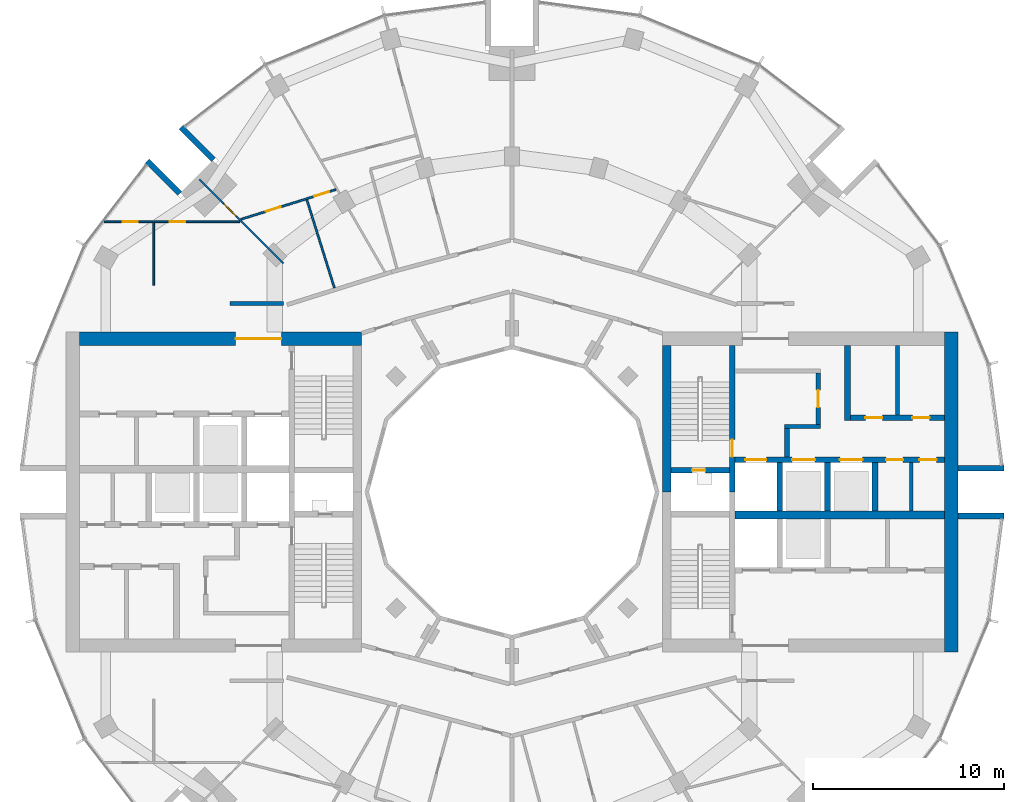
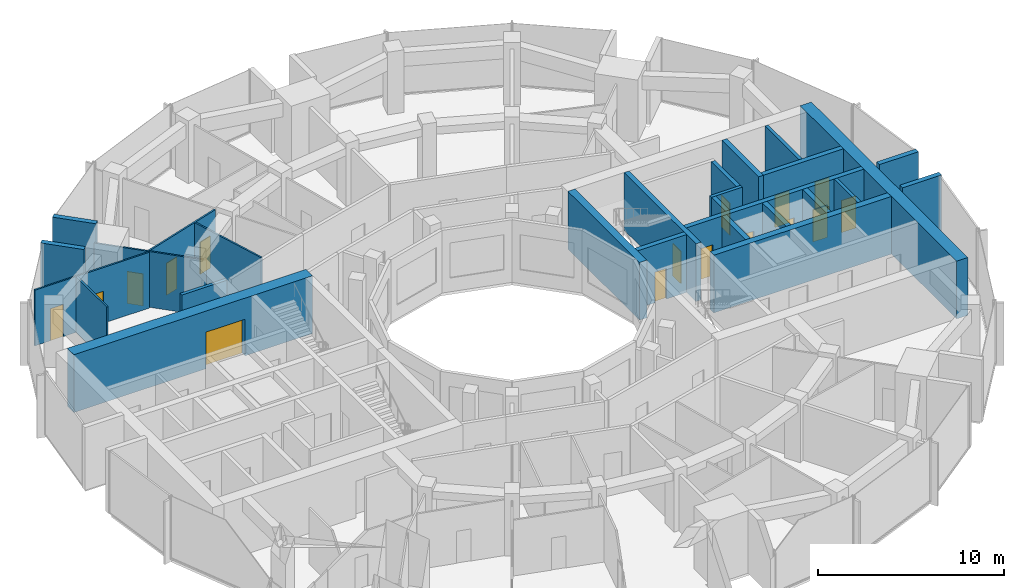
# One storey, part 11 of 15: 27 walls, 16 doors, 16 openings.
"""IFC4 building model written with IfcOpenShell, lengths in metres."""

from ifc_helpers import new_model, si_unit, direction, frame, frame_2d, origin, place, context, subcontext, project, spatial, rectangle, extrude, material, layer, layer_set, type_object, element, fill, save


model = new_model("IFC4")

# Units and contexts
model_context = context("Model", 3, precision=1e-05, world=origin(), true_north=direction((0.0, 1.0)))
body_context = subcontext(model_context, "Body", "Model", "MODEL_VIEW")
ifc_project = project(units=[si_unit("LENGTHUNIT", "METRE"), si_unit("AREAUNIT", "SQUARE_METRE"), si_unit("VOLUMEUNIT", "CUBIC_METRE"), si_unit("PLANEANGLEUNIT", "RADIAN"), si_unit("MASSUNIT", "GRAM", prefix="KILO")], contexts=[model_context])

# Site, building, storey
site_placement = place(None, origin())
site = spatial("IfcSite", under=ifc_project, at=site_placement, CompositionType="ELEMENT")
building_placement = place(site_placement, origin())
building = spatial("IfcBuilding", under=site, at=building_placement, Name="Torre Brocal", CompositionType="ELEMENT")
storey_placement = place(building_placement, frame((0.0, 0.0, 165.89990234375)))
storey = spatial("IfcBuildingStorey", under=building, at=storey_placement, Name="L38", CompositionType="ELEMENT", Elevation=165.89990234375)

# Walls
ifc_material_1 = material(Name="Masonry block", Category="masonry")
ifc_layer_1 = layer(ifc_material_1, 0.199951171875)
ifc_layer_set_1 = layer_set([ifc_layer_1], Name="Masonry block")
wall_type_1 = type_object("IfcWallType", Name="CORE PARTITION 200", PredefinedType="PARTITIONING", material=ifc_layer_set_1)
wall_1_placement = place(storey_placement, frame((100.949951171875, 74.0, 0.0), z_axis=(0.0, 0.0, 1.0), x_axis=(0.0, 1.0, 0.0)))
element("IfcWall", 1, at=wall_1_placement, inside=storey, type_object=wall_type_1, Name="Wall CP200", PredefinedType="PARTITIONING", context=body_context, shape_type="SweptSolid", body=[
    extrude(rectangle(XDim=2.550048828125, YDim=0.199951171875, at=frame_2d((1.27490234375, 0.0))), origin(), (0.0, 0.0, 1.0), 3.780029296875),
])
wall_2_placement = place(storey_placement, frame((100.22509765625, 79.050048828125, 0.0), z_axis=(0.0, 0.0, 1.0), x_axis=(0.0, 1.0, 0.0)))
element("IfcWall", 2, at=wall_2_placement, inside=storey, type_object=wall_type_1, Name="Wall CP200", PredefinedType="PARTITIONING", context=body_context, shape_type="SweptSolid", body=[
    extrude(rectangle(XDim=3.64990234375, YDim=0.199951171875, at=frame_2d((1.824951171875, 0.0))), origin(), (0.0, 0.0, 1.0), 3.780029296875),
])
ifc_material_2 = material(Name="Concrete C70", Category="concrete")
ifc_layer_2 = layer(ifc_material_2, 0.199951171875)
ifc_layer_set_2 = layer_set([ifc_layer_2], Name="Concrete C70")
wall_type_2 = type_object("IfcWallType", Name="CORE WALL 200 C70", PredefinedType="SHEAR", material=ifc_layer_set_2)
wall_3_placement = place(storey_placement, frame((94.300048828125, 78.449951171875, 0.0), z_axis=(0.0, 0.0, 1.0), x_axis=(1.0, 0.0, 0.0)))
element("IfcWall", 3, at=wall_3_placement, inside=storey, type_object=wall_type_2, Name="Wall CW200-70", PredefinedType="SHEAR", context=body_context, shape_type="SweptSolid", body=[
    extrude(rectangle(XDim=1.89990234375, YDim=0.199951171875, at=frame_2d((0.949951171875, 0.0))), origin(), (0.0, 0.0, 1.0), 3.780029296875),
])

# Wall, opening, door
ifc_material_3 = material(Name="Concrete C70", Category="concrete")
ifc_layer_3 = layer(ifc_material_3, 0.25)
ifc_layer_set_3 = layer_set([ifc_layer_3], Name="Concrete C70")
wall_type_3 = type_object("IfcWallType", Name="CORE WALL 250 C70", PredefinedType="SHEAR", material=ifc_layer_set_3)
wall_4_placement = place(storey_placement, frame((96.074951171875, 78.550048828125, 0.0), z_axis=(0.0, 0.0, 1.0), x_axis=(0.0, 1.0, 0.0)))
wall_4 = element("IfcWall", 4, at=wall_4_placement, inside=storey, type_object=wall_type_3, Name="Wall CW250-70", PredefinedType="SHEAR", context=body_context, shape_type="SweptSolid", body=[
    extrude(rectangle(XDim=2.699951171875, YDim=0.25, at=frame_2d((1.35009765625, 0.0))), origin(), (0.0, 0.0, 1.0), 3.780029296875),
])
opening_1_placement = place(wall_4_placement, frame((0.89990234375, 0.0, 0.0)))
opening_1 = element("IfcOpeningElement", 5, at=opening_1_placement, cuts=wall_4, Name="Opening E-D08", PredefinedType="OPENING", context=body_context, shape_type="SweptSolid", body=[
    extrude(rectangle(XDim=0.89990234375, YDim=2.10009765625, at=frame_2d((0.449951171875, 1.050048828125))), frame((0.0, 0.135009765625, 0.0), z_axis=(0.0, -1.0, 0.0), x_axis=(1.0, 0.0, 0.0)), (0.0, 0.0, 1.0), 0.27001953125),
])
ifc_material_4 = material(Name="Steel A653", Category="steel")
door_type_1 = type_object("IfcDoorType", Name="LOBBY DOOR FD120 900X2100", OperationType="SINGLE_SWING_RIGHT", PredefinedType="DOOR", material=ifc_material_4)
door_1_placement = place(opening_1_placement, origin())
door_1 = element("IfcDoor", 6, at=door_1_placement, inside=storey, type_object=door_type_1, Name="Door E-D08", OperationType="SINGLE_SWING_LEFT", OverallHeight=2.10009765625, OverallWidth=0.89990234375, PredefinedType="DOOR", context=body_context, shape_type="SweptSolid", body=[
    extrude(rectangle(XDim=0.89990234375, YDim=2.10009765625, at=frame_2d((0.449951171875, 1.050048828125))), frame((0.0, 0.02490234375, 0.0), z_axis=(0.0, -1.0, 0.0), x_axis=(1.0, 0.0, 0.0)), (0.0, 0.0, 1.0), 0.050048828125),
])
fill(opening_1, door_1)

# Wall
wall_5_placement = place(storey_placement, frame((94.425048828125, 76.85009765625, 0.0), z_axis=(0.0, 0.0, 1.0), x_axis=(0.0, 1.0, 0.0)))
element("IfcWall", 7, at=wall_5_placement, inside=storey, type_object=wall_type_3, Name="Wall CW250-70", PredefinedType="SHEAR", context=body_context, shape_type="SweptSolid", body=[
    extrude(rectangle(XDim=1.5, YDim=0.25, at=frame_2d((0.75, 0.0))), origin(), (0.0, 0.0, 1.0), 3.780029296875),
])

# Wall, opening, door
ifc_material_5 = material(Name="Concrete C70", Category="concrete")
ifc_layer_4 = layer(ifc_material_5, 0.300048828125)
ifc_layer_set_4 = layer_set([ifc_layer_4], Name="Concrete C70")
wall_type_4 = type_object("IfcWallType", Name="CORE WALL 300 C70", PredefinedType="SHEAR", material=ifc_layer_set_4)
wall_6_placement = place(storey_placement, frame((91.550048828125, 75.0, 0.0), z_axis=(0.0, 0.0, 1.0), x_axis=(0.0, 1.0, 0.0)))
wall_6 = element("IfcWall", 8, at=wall_6_placement, inside=storey, type_object=wall_type_4, Name="Wall CW300-70", PredefinedType="SHEAR", context=body_context, shape_type="SweptSolid", body=[
    extrude(rectangle(XDim=7.699951171875, YDim=0.300048828125, at=frame_2d((3.85009765625, 0.0))), origin(), (0.0, 0.0, 1.0), 3.780029296875),
])
opening_2_placement = place(wall_6_placement, frame((1.85009765625, 0.0, 0.0)))
opening_2 = element("IfcOpeningElement", 9, at=opening_2_placement, cuts=wall_6, Name="Opening E-D02", PredefinedType="OPENING", context=body_context, shape_type="SweptSolid", body=[
    extrude(rectangle(XDim=0.89990234375, YDim=2.10009765625, at=frame_2d((0.449951171875, 1.050048828125))), frame((0.0, 0.159912109375, 0.0), z_axis=(0.0, -1.0, 0.0), x_axis=(1.0, 0.0, 0.0)), (0.0, 0.0, 1.0), 0.320068359375),
])
ifc_material_6 = material(Name="Steel A653", Category="steel")
door_type_2 = type_object("IfcDoorType", Name="STAIR DOOR FD120 900X2100", OperationType="SINGLE_SWING_RIGHT", PredefinedType="DOOR", material=ifc_material_6)
door_2_placement = place(opening_2_placement, origin())
door_2 = element("IfcDoor", 10, at=door_2_placement, inside=storey, type_object=door_type_2, Name="Door E-D02", OperationType="SINGLE_SWING_LEFT", OverallHeight=2.10009765625, OverallWidth=0.89990234375, PredefinedType="DOOR", context=body_context, shape_type="SweptSolid", body=[
    extrude(rectangle(XDim=0.89990234375, YDim=2.10009765625, at=frame_2d((0.449951171875, 1.050048828125))), frame((0.0, 0.02490234375, 0.0), z_axis=(0.0, -1.0, 0.0), x_axis=(1.0, 0.0, 0.0)), (0.0, 0.0, 1.0), 0.050048828125),
])
fill(opening_2, door_2)

wall_7_placement = place(storey_placement, frame((88.35009765625, 76.14990234375, 0.0), z_axis=(0.0, 0.0, 1.0), x_axis=(1.0, 0.0, 0.0)))
wall_7 = element("IfcWall", 11, at=wall_7_placement, inside=storey, type_object=wall_type_4, Name="Wall CW300-70", PredefinedType="SHEAR", context=body_context, shape_type="SweptSolid", body=[
    extrude(rectangle(XDim=3.0498046875, YDim=0.300048828125, at=frame_2d((1.52490234375, 0.0))), origin(), (0.0, 0.0, 1.0), 3.780029296875),
])
opening_3_placement = place(wall_7_placement, frame((1.10009765625, 0.0, 0.0)))
opening_3 = element("IfcOpeningElement", 12, at=opening_3_placement, cuts=wall_7, Name="Opening E-D01", PredefinedType="OPENING", context=body_context, shape_type="SweptSolid", body=[
    extrude(rectangle(XDim=0.699951171875, YDim=2.0, at=frame_2d((0.35009765625, 1.0))), frame((0.0, 0.159912109375, 0.0), z_axis=(0.0, -1.0, 0.0), x_axis=(1.0, 0.0, 0.0)), (0.0, 0.0, 1.0), 0.320068359375),
])
ifc_material_7 = material(Name="Steel A653", Category="steel")
door_type_3 = type_object("IfcDoorType", Name="RISER DOOR FD120 700X2000", OperationType="SINGLE_SWING_LEFT", PredefinedType="DOOR", material=ifc_material_7)
door_3_placement = place(opening_3_placement, frame((0.699951171875, 0.0, 0.0), z_axis=(0.0, 0.0, 1.0), x_axis=(-1.0, 0.0, 0.0)))
door_3 = element("IfcDoor", 13, at=door_3_placement, inside=storey, type_object=door_type_3, Name="Door E-D01", OperationType="SINGLE_SWING_RIGHT", OverallHeight=2.0, OverallWidth=0.699951171875, PredefinedType="DOOR", context=body_context, shape_type="SweptSolid", body=[
    extrude(rectangle(XDim=0.699951171875, YDim=2.0, at=frame_2d((0.35009765625, 1.0))), frame((0.0, 0.02490234375, 0.0), z_axis=(0.0, -1.0, 0.0), x_axis=(1.0, 0.0, 0.0)), (0.0, 0.0, 1.0), 0.050048828125),
])
fill(opening_3, door_3)

# Wall, openings, doors
wall_8_placement = place(storey_placement, frame((91.699951171875, 76.699951171875, 0.0), z_axis=(0.0, 0.0, 1.0), x_axis=(1.0, 0.0, 0.0)))
wall_8 = element("IfcWall", 14, at=wall_8_placement, inside=storey, type_object=wall_type_4, Name="Wall CW300-70", PredefinedType="SHEAR", context=body_context, shape_type="SweptSolid", body=[
    extrude(rectangle(XDim=11.0, YDim=0.300048828125, at=frame_2d((5.5, 0.0))), origin(), (0.0, 0.0, 1.0), 3.780029296875),
])
opening_4_placement = place(wall_8_placement, frame((0.550048828125, 0.0, 0.0)))
opening_4 = element("IfcOpeningElement", 15, at=opening_4_placement, cuts=wall_8, Name="Opening LD", PredefinedType="OPENING", context=body_context, shape_type="SweptSolid", body=[
    extrude(rectangle(XDim=1.10009765625, YDim=2.10009765625, at=frame_2d((0.550048828125, 1.050048828125))), frame((0.0, 0.159912109375, 0.0), z_axis=(0.0, -1.0, 0.0), x_axis=(1.0, 0.0, 0.0)), (0.0, 0.0, 1.0), 0.320068359375),
])
opening_5_placement = place(wall_8_placement, frame((3.0, 0.0, 0.0)))
opening_5 = element("IfcOpeningElement", 16, at=opening_5_placement, cuts=wall_8, Name="Opening LD12", PredefinedType="OPENING", context=body_context, shape_type="SweptSolid", body=[
    extrude(rectangle(XDim=1.199951171875, YDim=2.10009765625, at=frame_2d((0.60009765625, 1.050048828125))), frame((0.0, 0.159912109375, 0.0), z_axis=(0.0, -1.0, 0.0), x_axis=(1.0, 0.0, 0.0)), (0.0, 0.0, 1.0), 0.320068359375),
])
opening_6_placement = place(wall_8_placement, frame((5.5, 0.0, 0.0)))
opening_6 = element("IfcOpeningElement", 17, at=opening_6_placement, cuts=wall_8, Name="Opening LD12", PredefinedType="OPENING", context=body_context, shape_type="SweptSolid", body=[
    extrude(rectangle(XDim=1.199951171875, YDim=2.10009765625, at=frame_2d((0.60009765625, 1.050048828125))), frame((0.0, 0.159912109375, 0.0), z_axis=(0.0, -1.0, 0.0), x_axis=(1.0, 0.0, 0.0)), (0.0, 0.0, 1.0), 0.320068359375),
])
opening_7_placement = place(wall_8_placement, frame((7.925048828125, 0.0, 0.0)))
opening_7 = element("IfcOpeningElement", 18, at=opening_7_placement, cuts=wall_8, Name="Opening E-D04", PredefinedType="OPENING", context=body_context, shape_type="SweptSolid", body=[
    extrude(rectangle(XDim=0.89990234375, YDim=2.10009765625, at=frame_2d((0.449951171875, 1.050048828125))), frame((0.0, 0.159912109375, 0.0), z_axis=(0.0, -1.0, 0.0), x_axis=(1.0, 0.0, 0.0)), (0.0, 0.0, 1.0), 0.320068359375),
])
opening_8_placement = place(wall_8_placement, frame((9.675048828125, 0.0, 0.0)))
opening_8 = element("IfcOpeningElement", 19, at=opening_8_placement, cuts=wall_8, Name="Opening E-D05", PredefinedType="OPENING", context=body_context, shape_type="SweptSolid", body=[
    extrude(rectangle(XDim=0.89990234375, YDim=2.10009765625, at=frame_2d((0.449951171875, 1.050048828125))), frame((0.0, 0.159912109375, 0.0), z_axis=(0.0, -1.0, 0.0), x_axis=(1.0, 0.0, 0.0)), (0.0, 0.0, 1.0), 0.320068359375),
])
ifc_material_8 = material(Name="Stainless steel AISI 316", Category="steel")
door_type_4 = type_object("IfcDoorType", Name="LIFT LANDING DOOR 1100X2100", OperationType="DOUBLE_DOOR_SLIDING", PredefinedType="DOOR", material=ifc_material_8)
door_4_placement = place(opening_4_placement, origin())
door_4 = element("IfcDoor", 20, at=door_4_placement, inside=storey, type_object=door_type_4, Name="Door LD", OperationType="DOUBLE_DOOR_SLIDING", OverallHeight=2.10009765625, OverallWidth=1.10009765625, PredefinedType="DOOR", context=body_context, shape_type="SweptSolid", body=[
    extrude(rectangle(XDim=1.10009765625, YDim=2.10009765625, at=frame_2d((0.550048828125, 1.050048828125))), frame((0.0, 0.02490234375, 0.0), z_axis=(0.0, -1.0, 0.0), x_axis=(1.0, 0.0, 0.0)), (0.0, 0.0, 1.0), 0.050048828125),
])
fill(opening_4, door_4)
ifc_material_9 = material(Name="Stainless steel AISI 316", Category="steel")
door_type_5 = type_object("IfcDoorType", Name="LIFT LANDING DOOR 1200X2100", OperationType="DOUBLE_DOOR_SLIDING", PredefinedType="DOOR", material=ifc_material_9)
door_5_placement = place(opening_5_placement, origin())
door_5 = element("IfcDoor", 21, at=door_5_placement, inside=storey, type_object=door_type_5, Name="Door LD12", OperationType="DOUBLE_DOOR_SLIDING", OverallHeight=2.10009765625, OverallWidth=1.199951171875, PredefinedType="DOOR", context=body_context, shape_type="SweptSolid", body=[
    extrude(rectangle(XDim=1.199951171875, YDim=2.10009765625, at=frame_2d((0.60009765625, 1.050048828125))), frame((0.0, 0.02490234375, 0.0), z_axis=(0.0, -1.0, 0.0), x_axis=(1.0, 0.0, 0.0)), (0.0, 0.0, 1.0), 0.050048828125),
])
fill(opening_5, door_5)
door_6_placement = place(opening_6_placement, origin())
door_6 = element("IfcDoor", 22, at=door_6_placement, inside=storey, type_object=door_type_5, Name="Door LD12", OperationType="DOUBLE_DOOR_SLIDING", OverallHeight=2.10009765625, OverallWidth=1.199951171875, PredefinedType="DOOR", context=body_context, shape_type="SweptSolid", body=[
    extrude(rectangle(XDim=1.199951171875, YDim=2.10009765625, at=frame_2d((0.60009765625, 1.050048828125))), frame((0.0, 0.02490234375, 0.0), z_axis=(0.0, -1.0, 0.0), x_axis=(1.0, 0.0, 0.0)), (0.0, 0.0, 1.0), 0.050048828125),
])
fill(opening_6, door_6)
ifc_material_10 = material(Name="Steel A653", Category="steel")
door_type_6 = type_object("IfcDoorType", Name="ROOM DOOR FD30S 900X2100", OperationType="SINGLE_SWING_LEFT", PredefinedType="DOOR", material=ifc_material_10)
door_7_placement = place(opening_7_placement, frame((0.89990234375, 0.0, 0.0), z_axis=(0.0, 0.0, 1.0), x_axis=(-1.0, 0.0, 0.0)))
door_7 = element("IfcDoor", 23, at=door_7_placement, inside=storey, type_object=door_type_6, Name="Door E-D04", OperationType="SINGLE_SWING_LEFT", OverallHeight=2.10009765625, OverallWidth=0.89990234375, PredefinedType="DOOR", context=body_context, shape_type="SweptSolid", body=[
    extrude(rectangle(XDim=0.89990234375, YDim=2.10009765625, at=frame_2d((0.449951171875, 1.050048828125))), frame((0.0, 0.02490234375, 0.0), z_axis=(0.0, -1.0, 0.0), x_axis=(1.0, 0.0, 0.0)), (0.0, 0.0, 1.0), 0.050048828125),
])
fill(opening_7, door_7)
door_8_placement = place(opening_8_placement, frame((0.89990234375, 0.0, 0.0), z_axis=(0.0, 0.0, 1.0), x_axis=(-1.0, 0.0, 0.0)))
door_8 = element("IfcDoor", 24, at=door_8_placement, inside=storey, type_object=door_type_6, Name="Door E-D05", OperationType="SINGLE_SWING_RIGHT", OverallHeight=2.10009765625, OverallWidth=0.89990234375, PredefinedType="DOOR", context=body_context, shape_type="SweptSolid", body=[
    extrude(rectangle(XDim=0.89990234375, YDim=2.10009765625, at=frame_2d((0.449951171875, 1.050048828125))), frame((0.0, 0.02490234375, 0.0), z_axis=(0.0, -1.0, 0.0), x_axis=(1.0, 0.0, 0.0)), (0.0, 0.0, 1.0), 0.050048828125),
])
fill(opening_8, door_8)

# Walls
for number, where, z_axis, x_axis, name in (
    (25, (94.050048828125, 74.0, 0.0), (0.0, 0.0, 1.0), (0.0, 1.0, 0.0), "Wall CW300-70"),
    (26, (96.550048828125, 74.0, 0.0), (0.0, 0.0, 1.0), (0.0, 1.0, 0.0), "Wall CW300-70"),
    (27, (99.050048828125, 74.0, 0.0), (0.0, 0.0, 1.0), (0.0, 1.0, 0.0), "Wall CW300-70"),
):
    element("IfcWall", number, at=place(storey_placement, frame(where, z_axis=z_axis, x_axis=x_axis)), inside=storey, type_object=wall_type_4, Name=name, PredefinedType="SHEAR", context=body_context, shape_type="SweptSolid", body=[
        extrude(rectangle(XDim=2.550048828125, YDim=0.300048828125, at=frame_2d((1.27490234375, 0.0))), origin(), (0.0, 0.0, 1.0), 3.780029296875),
    ])
wall_9_placement = place(storey_placement, frame((97.60009765625, 78.75, 0.0), z_axis=(0.0, 0.0, 1.0), x_axis=(0.0, 1.0, 0.0)))
element("IfcWall", 28, at=wall_9_placement, inside=storey, type_object=wall_type_4, Name="Wall CW300-70", PredefinedType="SHEAR", context=body_context, shape_type="SweptSolid", body=[
    extrude(rectangle(XDim=3.949951171875, YDim=0.300048828125, at=frame_2d((1.97509765625, 0.0))), origin(), (0.0, 0.0, 1.0), 3.780029296875),
])

# Wall, openings, doors
wall_10_placement = place(storey_placement, frame((97.75, 78.89990234375, 0.0), z_axis=(0.0, 0.0, 1.0), x_axis=(1.0, 0.0, 0.0)))
wall_10 = element("IfcWall", 29, at=wall_10_placement, inside=storey, type_object=wall_type_4, Name="Wall CW300-70", PredefinedType="SHEAR", context=body_context, shape_type="SweptSolid", body=[
    extrude(rectangle(XDim=4.949951171875, YDim=0.300048828125, at=frame_2d((2.47509765625, 0.0))), origin(), (0.0, 0.0, 1.0), 3.780029296875),
])
opening_9_placement = place(wall_10_placement, frame((0.78759765625, 0.0, 0.0)))
opening_9 = element("IfcOpeningElement", 30, at=opening_9_placement, cuts=wall_10, Name="Opening E-D09", PredefinedType="OPENING", context=body_context, shape_type="SweptSolid", body=[
    extrude(rectangle(XDim=0.89990234375, YDim=2.10009765625, at=frame_2d((0.449951171875, 1.050048828125))), frame((0.0, 0.159912109375, 0.0), z_axis=(0.0, -1.0, 0.0), x_axis=(1.0, 0.0, 0.0)), (0.0, 0.0, 1.0), 0.320068359375),
])
opening_10_placement = place(wall_10_placement, frame((3.262451171875, 0.0, 0.0)))
opening_10 = element("IfcOpeningElement", 31, at=opening_10_placement, cuts=wall_10, Name="Opening E-D10", PredefinedType="OPENING", context=body_context, shape_type="SweptSolid", body=[
    extrude(rectangle(XDim=0.89990234375, YDim=2.10009765625, at=frame_2d((0.449951171875, 1.050048828125))), frame((0.0, 0.159912109375, 0.0), z_axis=(0.0, -1.0, 0.0), x_axis=(1.0, 0.0, 0.0)), (0.0, 0.0, 1.0), 0.320068359375),
])
door_9_placement = place(opening_9_placement, origin())
door_9 = element("IfcDoor", 32, at=door_9_placement, inside=storey, type_object=door_type_6, Name="Door E-D09", OperationType="SINGLE_SWING_RIGHT", OverallHeight=2.10009765625, OverallWidth=0.89990234375, PredefinedType="DOOR", context=body_context, shape_type="SweptSolid", body=[
    extrude(rectangle(XDim=0.89990234375, YDim=2.10009765625, at=frame_2d((0.449951171875, 1.050048828125))), frame((0.0, 0.02490234375, 0.0), z_axis=(0.0, -1.0, 0.0), x_axis=(1.0, 0.0, 0.0)), (0.0, 0.0, 1.0), 0.050048828125),
])
fill(opening_9, door_9)
door_10_placement = place(opening_10_placement, origin())
door_10 = element("IfcDoor", 33, at=door_10_placement, inside=storey, type_object=door_type_6, Name="Door E-D10", OperationType="SINGLE_SWING_LEFT", OverallHeight=2.10009765625, OverallWidth=0.89990234375, PredefinedType="DOOR", context=body_context, shape_type="SweptSolid", body=[
    extrude(rectangle(XDim=0.89990234375, YDim=2.10009765625, at=frame_2d((0.449951171875, 1.050048828125))), frame((0.0, 0.02490234375, 0.0), z_axis=(0.0, -1.0, 0.0), x_axis=(1.0, 0.0, 0.0)), (0.0, 0.0, 1.0), 0.050048828125),
])
fill(opening_10, door_10)

# Walls
ifc_material_11 = material(Name="Concrete C70", Category="concrete")
ifc_layer_5 = layer(ifc_material_11, 0.39990234375)
ifc_layer_set_5 = layer_set([ifc_layer_5], Name="Concrete C70")
wall_type_5 = type_object("IfcWallType", Name="CORE WALL 400 C70", PredefinedType="SHEAR", material=ifc_layer_set_5)
wall_11_placement = place(storey_placement, frame((91.699951171875, 73.800048828125, 0.0), z_axis=(0.0, 0.0, 1.0), x_axis=(1.0, 0.0, 0.0)))
element("IfcWall", 34, at=wall_11_placement, inside=storey, type_object=wall_type_5, Name="Wall CW400-70", PredefinedType="SHEAR", context=body_context, shape_type="SweptSolid", body=[
    extrude(rectangle(XDim=11.0, YDim=0.39990234375, at=frame_2d((5.5, 0.0))), origin(), (0.0, 0.0, 1.0), 3.780029296875),
])
ifc_material_12 = material(Name="Concrete C70", Category="concrete")
ifc_layer_6 = layer(ifc_material_12, 0.449951171875)
ifc_layer_set_6 = layer_set([ifc_layer_6], Name="Concrete C70")
wall_type_6 = type_object("IfcWallType", Name="CORE WALL 450 C70", PredefinedType="SHEAR", material=ifc_layer_set_6)
wall_12_placement = place(storey_placement, frame((88.125, 75.0, 0.0), z_axis=(0.0, 0.0, 1.0), x_axis=(0.0, 1.0, 0.0)))
element("IfcWall", 35, at=wall_12_placement, inside=storey, type_object=wall_type_6, Name="Wall CW450-70", PredefinedType="SHEAR", context=body_context, shape_type="SweptSolid", body=[
    extrude(rectangle(XDim=7.699951171875, YDim=0.449951171875, at=frame_2d((3.85009765625, 0.0))), origin(), (0.0, 0.0, 1.0), 3.780029296875),
])
ifc_material_13 = material(Name="Concrete C70", Category="concrete")
ifc_layer_7 = layer(ifc_material_13, 0.699951171875)
ifc_layer_set_7 = layer_set([ifc_layer_7], Name="Concrete C70")
wall_type_7 = type_object("IfcWallType", Name="CORE WALL 700 C70", PredefinedType="SHEAR", material=ifc_layer_set_7)
wall_13_placement = place(storey_placement, frame((103.050048828125, 66.60009765625, 0.0), z_axis=(0.0, 0.0, 1.0), x_axis=(0.0, 1.0, 0.0)))
element("IfcWall", 36, at=wall_13_placement, inside=storey, type_object=wall_type_7, Name="Wall CW700-70", PredefinedType="SHEAR", context=body_context, shape_type="SweptSolid", body=[
    extrude(rectangle(XDim=16.7998046875, YDim=0.699951171875, at=frame_2d((8.39990234375, 0.0))), origin(), (0.0, 0.0, 1.0), 3.780029296875),
])

# Wall, opening, door
wall_14_placement = place(storey_placement, frame((72.10009765625, 83.050048828125, 0.0), z_axis=(0.0, 0.0, 1.0), x_axis=(-1.0, 0.0, 0.0)))
wall_14 = element("IfcWall", 37, at=wall_14_placement, inside=storey, type_object=wall_type_7, Name="Wall CW700-70", PredefinedType="SHEAR", context=body_context, shape_type="SweptSolid", body=[
    extrude(rectangle(XDim=14.800048828125, YDim=0.699951171875, at=frame_2d((7.39990234375, 0.0))), origin(), (0.0, 0.0, 1.0), 3.780029296875),
])
opening_11_placement = place(wall_14_placement, frame((4.199951171875, 0.0, 0.0)))
opening_11 = element("IfcOpeningElement", 38, at=opening_11_placement, cuts=wall_14, Name="Opening W-D12", PredefinedType="OPENING", context=body_context, shape_type="SweptSolid", body=[
    extrude(rectangle(XDim=2.39990234375, YDim=2.39990234375, at=frame_2d((1.199951171875, 1.199951171875))), frame((0.0, 0.35986328125, 0.0), z_axis=(0.0, -1.0, 0.0), x_axis=(1.0, 0.0, 0.0)), (0.0, 0.0, 1.0), 0.719970703125),
])
ifc_material_14 = material(Name="Steel A653", Category="steel")
door_type_7 = type_object("IfcDoorType", Name="DOUBLE FIRE DOOR FD90 2400X2400", OperationType="DOUBLE_DOOR_SINGLE_SWING", PredefinedType="DOOR", material=ifc_material_14)
door_11_placement = place(opening_11_placement, origin())
door_11 = element("IfcDoor", 39, at=door_11_placement, inside=storey, type_object=door_type_7, Name="Door W-D12", OperationType="DOUBLE_DOOR_SINGLE_SWING", OverallHeight=2.39990234375, OverallWidth=2.39990234375, PredefinedType="DOOR", context=body_context, shape_type="SweptSolid", body=[
    extrude(rectangle(XDim=2.39990234375, YDim=2.39990234375, at=frame_2d((1.199951171875, 1.199951171875))), frame((0.0, 0.02490234375, 0.0), z_axis=(0.0, -1.0, 0.0), x_axis=(1.0, 0.0, 0.0)), (0.0, 0.0, 1.0), 0.050048828125),
])
fill(opening_11, door_11)

# Walls
ifc_material_15 = material(Name="Concrete C70", Category="concrete")
ifc_layer_8 = layer(ifc_material_15, 0.300048828125)
ifc_layer_set_8 = layer_set([ifc_layer_8], Name="Concrete C70")
wall_type_8 = type_object("IfcWallType", Name="NOTCH RETURN WALL 300 C70", PredefinedType="NOTDEFINED", material=ifc_layer_set_8)
for number, where, z_axis, x_axis, name in (
    (40, (103.39990234375, 73.75, 0.0), (0.0, 0.0, 1.0), (1.0, 0.0, 0.0), "NOTCH RETURN WALL"),
    (41, (103.39990234375, 76.25, 0.0), (0.0, 0.0, 1.0), (1.0, 0.0, 0.0), "NOTCH RETURN WALL"),
    (42, (64.337646484375, 92.43017578125, 0.0), (0.0, 0.0, 1.0), (-0.707106781187, 0.707106781187, 0.0), "NOTCH RETURN WALL"),
    (43, (62.56982421875, 90.662353515625, 0.0), (0.0, 0.0, 1.0), (-0.707106781187, 0.707106781187, 0.0), "NOTCH RETURN WALL"),
):
    element("IfcWall", number, at=place(storey_placement, frame(where, z_axis=z_axis, x_axis=x_axis)), inside=storey, type_object=wall_type_8, Name=name, PredefinedType="NOTDEFINED", context=body_context, shape_type="SweptSolid", body=[
        extrude(rectangle(XDim=2.415771484375, YDim=0.300048828125, at=frame_2d((1.2080078125, 0.0))), origin(), (0.0, 0.0, 1.0), 4.10009765625),
    ])

# Wall, openings, doors
ifc_material_16 = material(Name="Gypsum board", Category="Gypsum")
ifc_layer_9 = layer(ifc_material_16, 0.10009765625)
ifc_layer_set_9 = layer_set([ifc_layer_9], Name="Gypsum board")
wall_type_9 = type_object("IfcWallType", Name="PARTITION 100", PredefinedType="PARTITIONING", material=ifc_layer_set_9)
wall_15_placement = place(storey_placement, frame((58.60009765625, 89.18798828125, 0.0), z_axis=(0.0, 0.0, 1.0), x_axis=(1.0, 0.0, 0.0)))
wall_15 = element("IfcWall", 44, at=wall_15_placement, inside=storey, type_object=wall_type_9, Name="BATHROOM WALL", PredefinedType="PARTITIONING", context=body_context, shape_type="SweptSolid", body=[
    extrude(rectangle(XDim=7.101806640625, YDim=0.10009765625, at=frame_2d((3.55078125, 0.0))), origin(), (0.0, 0.0, 1.0), 3.650146484375),
])
opening_12_placement = place(wall_15_placement, frame((3.446533203125, 0.0, 0.0)))
opening_12 = element("IfcOpeningElement", 45, at=opening_12_placement, cuts=wall_15, Name="Opening R01-D13", PredefinedType="OPENING", context=body_context, shape_type="SweptSolid", body=[
    extrude(rectangle(XDim=0.800048828125, YDim=2.10009765625, at=frame_2d((0.39990234375, 1.050048828125))), frame((0.0, 0.06005859375, 0.0), z_axis=(0.0, -1.0, 0.0), x_axis=(1.0, 0.0, 0.0)), (0.0, 0.0, 1.0), 0.1201171875),
])
opening_13_placement = place(wall_15_placement, frame((0.965087890625, 0.0, 0.0)))
opening_13 = element("IfcOpeningElement", 46, at=opening_13_placement, cuts=wall_15, Name="Opening R01-D14", PredefinedType="OPENING", context=body_context, shape_type="SweptSolid", body=[
    extrude(rectangle(XDim=0.800048828125, YDim=2.10009765625, at=frame_2d((0.39990234375, 1.050048828125))), frame((0.0, 0.06005859375, 0.0), z_axis=(0.0, -1.0, 0.0), x_axis=(1.0, 0.0, 0.0)), (0.0, 0.0, 1.0), 0.1201171875),
])
ifc_material_17 = material(Name="Timber", Category="wood")
door_type_8 = type_object("IfcDoorType", Name="BATHROOM DOOR 800X2100", OperationType="SINGLE_SWING_LEFT", PredefinedType="DOOR", material=ifc_material_17)
door_12_placement = place(opening_12_placement, frame((0.800048828125, 0.0, 0.0), z_axis=(0.0, 0.0, 1.0), x_axis=(-1.0, 0.0, 0.0)))
door_12 = element("IfcDoor", 47, at=door_12_placement, inside=storey, type_object=door_type_8, Name="R01-D13", OperationType="SINGLE_SWING_RIGHT", OverallHeight=2.10009765625, OverallWidth=0.800048828125, PredefinedType="DOOR", context=body_context, shape_type="SweptSolid", body=[
    extrude(rectangle(XDim=0.800048828125, YDim=2.10009765625, at=frame_2d((0.39990234375, 1.050048828125))), frame((0.0, 0.02490234375, 0.0), z_axis=(0.0, -1.0, 0.0), x_axis=(1.0, 0.0, 0.0)), (0.0, 0.0, 1.0), 0.050048828125),
])
fill(opening_12, door_12)
door_13_placement = place(opening_13_placement, origin())
door_13 = element("IfcDoor", 48, at=door_13_placement, inside=storey, type_object=door_type_8, Name="R01-D14", OperationType="SINGLE_SWING_LEFT", OverallHeight=2.10009765625, OverallWidth=0.800048828125, PredefinedType="DOOR", context=body_context, shape_type="SweptSolid", body=[
    extrude(rectangle(XDim=0.800048828125, YDim=2.10009765625, at=frame_2d((0.39990234375, 1.050048828125))), frame((0.0, 0.02490234375, 0.0), z_axis=(0.0, -1.0, 0.0), x_axis=(1.0, 0.0, 0.0)), (0.0, 0.0, 1.0), 0.050048828125),
])
fill(opening_13, door_13)

# Wall
wall_16_placement = place(storey_placement, frame((61.199951171875, 85.85498046875, 0.0), z_axis=(0.0, 0.0, 1.0), x_axis=(0.0, 1.0, 0.0)))
element("IfcWall", 49, at=wall_16_placement, inside=storey, type_object=wall_type_9, Name="BATHROOM WALL", PredefinedType="PARTITIONING", context=body_context, shape_type="SweptSolid", body=[
    extrude(rectangle(XDim=3.282958984375, YDim=0.10009765625, at=frame_2d((1.6416015625, 0.0))), origin(), (0.0, 0.0, 1.0), 3.650146484375),
])

# Wall, opening, door
wall_17_placement = place(storey_placement, frame((63.598388671875, 91.408203125, 0.0), z_axis=(0.0, 0.0, 1.0), x_axis=(0.70693039891, -0.707283119477, 0.0)))
wall_17 = element("IfcWall", 50, at=wall_17_placement, inside=storey, type_object=wall_type_9, Name="BATHROOM WALL", PredefinedType="PARTITIONING", context=body_context, shape_type="SweptSolid", body=[
    extrude(rectangle(XDim=6.2294921875, YDim=0.10009765625, at=frame_2d((3.11474609375, 0.0))), origin(), (0.0, 0.0, 1.0), 3.650146484375),
])
opening_14_placement = place(wall_17_placement, frame((1.819091796875, 0.0, 0.0)))
opening_14 = element("IfcOpeningElement", 51, at=opening_14_placement, cuts=wall_17, Name="Opening R01-D12", PredefinedType="OPENING", context=body_context, shape_type="SweptSolid", body=[
    extrude(rectangle(XDim=0.89990234375, YDim=2.10009765625, at=frame_2d((0.449951171875, 1.050048828125))), frame((0.0, 0.06005859375, 0.0), z_axis=(0.0, -1.0, 0.0), x_axis=(1.0, 0.0, 0.0)), (0.0, 0.0, 1.0), 0.1201171875),
])
ifc_material_18 = material(Name="Timber", Category="wood")
door_type_9 = type_object("IfcDoorType", Name="ROOM DOOR 900X2100", OperationType="SINGLE_SWING_LEFT", PredefinedType="DOOR", material=ifc_material_18)
door_14_placement = place(opening_14_placement, frame((0.89990234375, 0.0, 0.0), z_axis=(0.0, 0.0, 1.0), x_axis=(-1.0, 0.0, 0.0)))
door_14 = element("IfcDoor", 52, at=door_14_placement, inside=storey, type_object=door_type_9, Name="R01-D12", OperationType="SINGLE_SWING_RIGHT", OverallHeight=2.10009765625, OverallWidth=0.89990234375, PredefinedType="DOOR", context=body_context, shape_type="SweptSolid", body=[
    extrude(rectangle(XDim=0.89990234375, YDim=2.10009765625, at=frame_2d((0.449951171875, 1.050048828125))), frame((0.0, 0.02490234375, 0.0), z_axis=(0.0, -1.0, 0.0), x_axis=(1.0, 0.0, 0.0)), (0.0, 0.0, 1.0), 0.050048828125),
])
fill(opening_14, door_14)

# Wall, openings, doors
wall_18_placement = place(storey_placement, frame((65.78515625, 89.316162109375, 0.0), z_axis=(0.0, 0.0, 1.0), x_axis=(0.954187348418, 0.299209799504, 0.0)))
wall_18 = element("IfcWall", 53, at=wall_18_placement, inside=storey, type_object=wall_type_9, Name="BATHROOM WALL", PredefinedType="PARTITIONING", context=body_context, shape_type="SweptSolid", body=[
    extrude(rectangle(XDim=5.21875, YDim=0.10009765625, at=frame_2d((2.609375, 0.0))), origin(), (0.0, 0.0, 1.0), 3.650146484375),
])
opening_15_placement = place(wall_18_placement, frame((1.367431640625, 0.0, 0.0)))
opening_15 = element("IfcOpeningElement", 54, at=opening_15_placement, cuts=wall_18, Name="Opening R01-D10", PredefinedType="OPENING", context=body_context, shape_type="SweptSolid", body=[
    extrude(rectangle(XDim=0.800048828125, YDim=2.10009765625, at=frame_2d((0.39990234375, 1.050048828125))), frame((0.0, 0.06005859375, 0.0), z_axis=(0.0, -1.0, 0.0), x_axis=(1.0, 0.0, 0.0)), (0.0, 0.0, 1.0), 0.1201171875),
])
opening_16_placement = place(wall_18_placement, frame((4.02734375, 0.0, 0.0)))
opening_16 = element("IfcOpeningElement", 55, at=opening_16_placement, cuts=wall_18, Name="Opening R01-D11", PredefinedType="OPENING", context=body_context, shape_type="SweptSolid", body=[
    extrude(rectangle(XDim=0.800048828125, YDim=2.10009765625, at=frame_2d((0.39990234375, 1.050048828125))), frame((0.0, 0.06005859375, 0.0), z_axis=(0.0, -1.0, 0.0), x_axis=(1.0, 0.0, 0.0)), (0.0, 0.0, 1.0), 0.1201171875),
])
door_15_placement = place(opening_15_placement, frame((0.800048828125, 0.0, 0.0), z_axis=(0.0, 0.0, 1.0), x_axis=(-1.0, 0.0, 0.0)))
door_15 = element("IfcDoor", 56, at=door_15_placement, inside=storey, type_object=door_type_8, Name="R01-D10", OperationType="SINGLE_SWING_RIGHT", OverallHeight=2.10009765625, OverallWidth=0.800048828125, PredefinedType="DOOR", context=body_context, shape_type="SweptSolid", body=[
    extrude(rectangle(XDim=0.800048828125, YDim=2.10009765625, at=frame_2d((0.39990234375, 1.050048828125))), frame((0.0, 0.02490234375, 0.0), z_axis=(0.0, -1.0, 0.0), x_axis=(1.0, 0.0, 0.0)), (0.0, 0.0, 1.0), 0.050048828125),
])
fill(opening_15, door_15)
door_16_placement = place(opening_16_placement, frame((0.800048828125, 0.0, 0.0), z_axis=(0.0, 0.0, 1.0), x_axis=(-1.0, 0.0, 0.0)))
door_16 = element("IfcDoor", 57, at=door_16_placement, inside=storey, type_object=door_type_8, Name="R01-D11", OperationType="SINGLE_SWING_RIGHT", OverallHeight=2.10009765625, OverallWidth=0.800048828125, PredefinedType="DOOR", context=body_context, shape_type="SweptSolid", body=[
    extrude(rectangle(XDim=0.800048828125, YDim=2.10009765625, at=frame_2d((0.39990234375, 1.050048828125))), frame((0.0, 0.02490234375, 0.0), z_axis=(0.0, -1.0, 0.0), x_axis=(1.0, 0.0, 0.0)), (0.0, 0.0, 1.0), 0.050048828125),
])
fill(opening_16, door_16)

# Walls
wall_19_placement = place(storey_placement, frame((69.23095703125, 90.34423828125, 0.0), z_axis=(0.0, 0.0, 1.0), x_axis=(0.299203490128, -0.954189326861, 0.0)))
element("IfcWall", 58, at=wall_19_placement, inside=storey, type_object=wall_type_9, Name="BATHROOM WALL", PredefinedType="PARTITIONING", context=body_context, shape_type="SweptSolid", body=[
    extrude(rectangle(XDim=4.85009765625, YDim=0.10009765625, at=frame_2d((2.425048828125, 0.0))), origin(), (0.0, 0.0, 1.0), 3.650146484375),
])
ifc_material_19 = material(Name="Gypsum board", Category="Gypsum")
ifc_layer_10 = layer(ifc_material_19, 0.199951171875)
ifc_layer_set_10 = layer_set([ifc_layer_10], Name="Gypsum board")
wall_type_10 = type_object("IfcWallType", Name="PARTITION 200 EI60", PredefinedType="PARTITIONING", material=ifc_layer_set_10)
wall_20_placement = place(storey_placement, frame((65.199951171875, 84.89990234375, 0.0), z_axis=(0.0, 0.0, 1.0), x_axis=(1.0, 0.0, 0.0)))
element("IfcWall", 59, at=wall_20_placement, inside=storey, type_object=wall_type_10, Name="GUESTROOM CORRIDOR WALL", PredefinedType="PARTITIONING", context=body_context, shape_type="SweptSolid", body=[
    extrude(rectangle(XDim=2.800048828125, YDim=0.199951171875, at=frame_2d((1.39990234375, 0.0))), origin(), (0.0, 0.0, 1.0), 3.650146484375),
])

save(model, "model.ifc")
